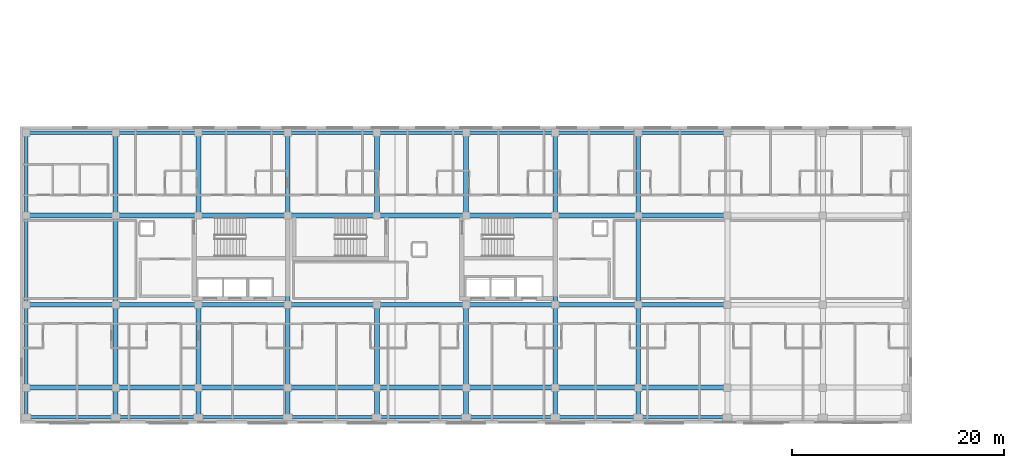
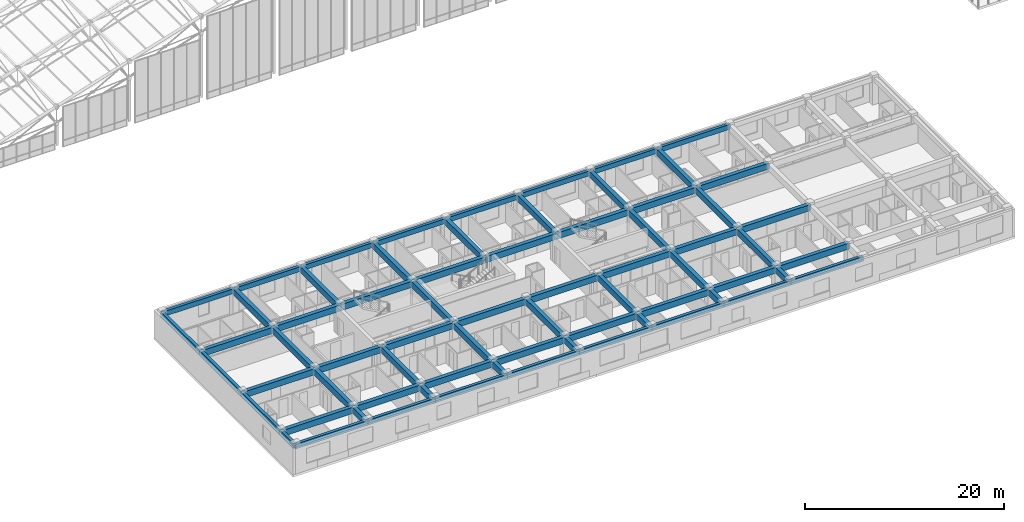
# One storey, part 15 of 144: 69 beams.
"""IFC4 building model written with IfcOpenShell, lengths in metres."""

from ifc_helpers import new_model, si_unit, direction, frame, origin, origin_2d, place, context, subcontext, project, spatial, rectangle, extrude, material, material_profile, profile_set, type_object, element, save


model = new_model("IFC4")

# Units and contexts
model_context = context("Model", 3, precision=1e-05, world=origin(), true_north=direction((0.0, 1.0)))
body_context = subcontext(model_context, "Body", "Model", "MODEL_VIEW")
ifc_project = project(units=[si_unit("LENGTHUNIT", "METRE"), si_unit("AREAUNIT", "SQUARE_METRE"), si_unit("VOLUMEUNIT", "CUBIC_METRE"), si_unit("PLANEANGLEUNIT", "RADIAN"), si_unit("MASSUNIT", "GRAM", prefix="KILO")], contexts=[model_context])

# Site, building, storey
site_placement = place(None, origin())
site = spatial("IfcSite", under=ifc_project, at=site_placement, CompositionType="ELEMENT")
building_placement = place(site_placement, origin())
building = spatial("IfcBuilding", under=site, at=building_placement, Name="Zayran Congress Hotel", CompositionType="ELEMENT")
storey_placement = place(building_placement, frame((0.0, 0.0, 19.199951171875)))
storey = spatial("IfcBuildingStorey", under=building, at=storey_placement, Name="L04", CompositionType="ELEMENT", Elevation=19.199951171875)

# Beams
ifc_material = material(Name="Concrete C40/50", Category="concrete")
ifc_material_profile_1 = material_profile(ifc_material, rectangle(XDim=0.449951171875, YDim=0.75, at=origin_2d()), Name="RC 450x750")
ifc_profile_set_1 = profile_set([ifc_material_profile_1], Name="Concrete C40/50")
beam_type_1 = type_object("IfcBeamType", Name="TP-BM-02", PredefinedType="BEAM", material=ifc_profile_set_1)
beam_1_placement = place(storey_placement, frame((9.0, 9.39990234375, 2.945068359375), z_axis=(1.0, 0.0, 0.0), x_axis=(0.0, 1.0, 0.0)))
element("IfcBeam", 1, at=beam_1_placement, inside=storey, type_object=beam_type_1, Name="BM-V5-L04-1962", PredefinedType="BEAM", context=body_context, shape_type="SweptSolid", body=[
    extrude(rectangle(XDim=0.449951171875, YDim=0.75, at=origin_2d()), origin(), (0.0, 0.0, 1.0), 8.39990234375),
])
beam_2_placement = place(storey_placement, frame((17.39990234375, 9.39990234375, 2.945068359375), z_axis=(1.0, 0.0, 0.0), x_axis=(0.0, 1.0, 0.0)))
element("IfcBeam", 2, at=beam_2_placement, inside=storey, type_object=beam_type_1, Name="BM-V5-L04-1963", PredefinedType="BEAM", context=body_context, shape_type="SweptSolid", body=[
    extrude(rectangle(XDim=0.449951171875, YDim=0.75, at=origin_2d()), origin(), (0.0, 0.0, 1.0), 7.800048828125),
])
beam_3_placement = place(storey_placement, frame((25.199951171875, 9.39990234375, 2.945068359375), z_axis=(1.0, 0.0, 0.0), x_axis=(0.0, 1.0, 0.0)))
element("IfcBeam", 3, at=beam_3_placement, inside=storey, type_object=beam_type_1, Name="BM-V5-L04-1964", PredefinedType="BEAM", context=body_context, shape_type="SweptSolid", body=[
    extrude(rectangle(XDim=0.449951171875, YDim=0.75, at=origin_2d()), origin(), (0.0, 0.0, 1.0), 8.400146484375),
])
for number, where, z_axis, x_axis, name in (
    (4, (33.60009765625, 9.39990234375, 2.945068359375), (1.0, 0.0, 0.0), (0.0, 1.0, 0.0), "BM-V5-L04-1965"),
    (5, (42.0, 9.39990234375, 2.945068359375), (1.0, 0.0, 0.0), (0.0, 1.0, 0.0), "BM-V5-L04-1966"),
):
    element("IfcBeam", number, at=place(storey_placement, frame(where, z_axis=z_axis, x_axis=x_axis)), inside=storey, type_object=beam_type_1, Name=name, PredefinedType="BEAM", context=body_context, shape_type="SweptSolid", body=[
        extrude(rectangle(XDim=0.449951171875, YDim=0.75, at=origin_2d()), origin(), (0.0, 0.0, 1.0), 8.39990234375),
    ])
beam_4_placement = place(storey_placement, frame((50.39990234375, 9.39990234375, 2.945068359375), z_axis=(1.0, 0.0, 0.0), x_axis=(0.0, 1.0, 0.0)))
element("IfcBeam", 6, at=beam_4_placement, inside=storey, type_object=beam_type_1, Name="BM-V5-L04-1967", PredefinedType="BEAM", context=body_context, shape_type="SweptSolid", body=[
    extrude(rectangle(XDim=0.449951171875, YDim=0.75, at=origin_2d()), origin(), (0.0, 0.0, 1.0), 8.400146484375),
])
beam_5_placement = place(storey_placement, frame((58.800048828125, 9.39990234375, 2.945068359375), z_axis=(1.0, 0.0, 0.0), x_axis=(0.0, 1.0, 0.0)))
element("IfcBeam", 7, at=beam_5_placement, inside=storey, type_object=beam_type_1, Name="BM-V5-L04-1968", PredefinedType="BEAM", context=body_context, shape_type="SweptSolid", body=[
    extrude(rectangle(XDim=0.449951171875, YDim=0.75, at=origin_2d()), origin(), (0.0, 0.0, 1.0), 7.800048828125),
])
for number, where, z_axis, x_axis, name in (
    (8, (66.60009765625, 9.39990234375, 2.945068359375), (1.0, 0.0, 0.0), (0.0, 1.0, 0.0), "BM-V5-L04-1969"),
    (9, (9.0, 17.199951171875, 2.945068359375), (1.0, 0.0, 0.0), (0.0, 1.0, 0.0), "BM-V5-L04-1972"),
):
    element("IfcBeam", number, at=place(storey_placement, frame(where, z_axis=z_axis, x_axis=x_axis)), inside=storey, type_object=beam_type_1, Name=name, PredefinedType="BEAM", context=body_context, shape_type="SweptSolid", body=[
        extrude(rectangle(XDim=0.449951171875, YDim=0.75, at=origin_2d()), origin(), (0.0, 0.0, 1.0), 8.39990234375),
    ])
beam_6_placement = place(storey_placement, frame((17.39990234375, 17.199951171875, 2.945068359375), z_axis=(1.0, 0.0, 0.0), x_axis=(0.0, 1.0, 0.0)))
element("IfcBeam", 10, at=beam_6_placement, inside=storey, type_object=beam_type_1, Name="BM-V5-L04-1973", PredefinedType="BEAM", context=body_context, shape_type="SweptSolid", body=[
    extrude(rectangle(XDim=0.449951171875, YDim=0.75, at=origin_2d()), origin(), (0.0, 0.0, 1.0), 7.800048828125),
])
beam_7_placement = place(storey_placement, frame((25.199951171875, 17.199951171875, 2.945068359375), z_axis=(1.0, 0.0, 0.0), x_axis=(0.0, 1.0, 0.0)))
element("IfcBeam", 11, at=beam_7_placement, inside=storey, type_object=beam_type_1, Name="BM-V5-L04-1974", PredefinedType="BEAM", context=body_context, shape_type="SweptSolid", body=[
    extrude(rectangle(XDim=0.449951171875, YDim=0.75, at=origin_2d()), origin(), (0.0, 0.0, 1.0), 8.400146484375),
])
for number, where, z_axis, x_axis, name in (
    (12, (33.60009765625, 17.199951171875, 2.945068359375), (1.0, 0.0, 0.0), (0.0, 1.0, 0.0), "BM-V5-L04-1975"),
    (13, (42.0, 17.199951171875, 2.945068359375), (1.0, 0.0, 0.0), (0.0, 1.0, 0.0), "BM-V5-L04-1976"),
):
    element("IfcBeam", number, at=place(storey_placement, frame(where, z_axis=z_axis, x_axis=x_axis)), inside=storey, type_object=beam_type_1, Name=name, PredefinedType="BEAM", context=body_context, shape_type="SweptSolid", body=[
        extrude(rectangle(XDim=0.449951171875, YDim=0.75, at=origin_2d()), origin(), (0.0, 0.0, 1.0), 8.39990234375),
    ])
beam_8_placement = place(storey_placement, frame((50.39990234375, 17.199951171875, 2.945068359375), z_axis=(1.0, 0.0, 0.0), x_axis=(0.0, 1.0, 0.0)))
element("IfcBeam", 14, at=beam_8_placement, inside=storey, type_object=beam_type_1, Name="BM-V5-L04-1977", PredefinedType="BEAM", context=body_context, shape_type="SweptSolid", body=[
    extrude(rectangle(XDim=0.449951171875, YDim=0.75, at=origin_2d()), origin(), (0.0, 0.0, 1.0), 8.400146484375),
])
beam_9_placement = place(storey_placement, frame((58.800048828125, 17.199951171875, 2.945068359375), z_axis=(1.0, 0.0, 0.0), x_axis=(0.0, 1.0, 0.0)))
element("IfcBeam", 15, at=beam_9_placement, inside=storey, type_object=beam_type_1, Name="BM-V5-L04-1978", PredefinedType="BEAM", context=body_context, shape_type="SweptSolid", body=[
    extrude(rectangle(XDim=0.449951171875, YDim=0.75, at=origin_2d()), origin(), (0.0, 0.0, 1.0), 7.800048828125),
])
for number, where, z_axis, x_axis, name in (
    (16, (66.60009765625, 17.199951171875, 2.945068359375), (1.0, 0.0, 0.0), (0.0, 1.0, 0.0), "BM-V5-L04-1979"),
    (17, (9.0, 25.60009765625, 2.945068359375), (1.0, 0.0, 0.0), (0.0, 1.0, 0.0), "BM-V5-L04-1982"),
):
    element("IfcBeam", number, at=place(storey_placement, frame(where, z_axis=z_axis, x_axis=x_axis)), inside=storey, type_object=beam_type_1, Name=name, PredefinedType="BEAM", context=body_context, shape_type="SweptSolid", body=[
        extrude(rectangle(XDim=0.449951171875, YDim=0.75, at=origin_2d()), origin(), (0.0, 0.0, 1.0), 8.39990234375),
    ])
beam_10_placement = place(storey_placement, frame((17.39990234375, 25.60009765625, 2.945068359375), z_axis=(1.0, 0.0, 0.0), x_axis=(0.0, 1.0, 0.0)))
element("IfcBeam", 18, at=beam_10_placement, inside=storey, type_object=beam_type_1, Name="BM-V5-L04-1983", PredefinedType="BEAM", context=body_context, shape_type="SweptSolid", body=[
    extrude(rectangle(XDim=0.449951171875, YDim=0.75, at=origin_2d()), origin(), (0.0, 0.0, 1.0), 7.800048828125),
])
beam_11_placement = place(storey_placement, frame((25.199951171875, 25.60009765625, 2.945068359375), z_axis=(1.0, 0.0, 0.0), x_axis=(0.0, 1.0, 0.0)))
element("IfcBeam", 19, at=beam_11_placement, inside=storey, type_object=beam_type_1, Name="BM-V5-L04-1984", PredefinedType="BEAM", context=body_context, shape_type="SweptSolid", body=[
    extrude(rectangle(XDim=0.449951171875, YDim=0.75, at=origin_2d()), origin(), (0.0, 0.0, 1.0), 8.400146484375),
])
for number, where, z_axis, x_axis, name in (
    (20, (33.60009765625, 25.60009765625, 2.945068359375), (1.0, 0.0, 0.0), (0.0, 1.0, 0.0), "BM-V5-L04-1985"),
    (21, (42.0, 25.60009765625, 2.945068359375), (1.0, 0.0, 0.0), (0.0, 1.0, 0.0), "BM-V5-L04-1986"),
):
    element("IfcBeam", number, at=place(storey_placement, frame(where, z_axis=z_axis, x_axis=x_axis)), inside=storey, type_object=beam_type_1, Name=name, PredefinedType="BEAM", context=body_context, shape_type="SweptSolid", body=[
        extrude(rectangle(XDim=0.449951171875, YDim=0.75, at=origin_2d()), origin(), (0.0, 0.0, 1.0), 8.39990234375),
    ])
beam_12_placement = place(storey_placement, frame((50.39990234375, 25.60009765625, 2.945068359375), z_axis=(1.0, 0.0, 0.0), x_axis=(0.0, 1.0, 0.0)))
element("IfcBeam", 22, at=beam_12_placement, inside=storey, type_object=beam_type_1, Name="BM-V5-L04-1987", PredefinedType="BEAM", context=body_context, shape_type="SweptSolid", body=[
    extrude(rectangle(XDim=0.449951171875, YDim=0.75, at=origin_2d()), origin(), (0.0, 0.0, 1.0), 8.400146484375),
])
beam_13_placement = place(storey_placement, frame((58.800048828125, 25.60009765625, 2.945068359375), z_axis=(1.0, 0.0, 0.0), x_axis=(0.0, 1.0, 0.0)))
element("IfcBeam", 23, at=beam_13_placement, inside=storey, type_object=beam_type_1, Name="BM-V5-L04-1988", PredefinedType="BEAM", context=body_context, shape_type="SweptSolid", body=[
    extrude(rectangle(XDim=0.449951171875, YDim=0.75, at=origin_2d()), origin(), (0.0, 0.0, 1.0), 7.800048828125),
])
beam_14_placement = place(storey_placement, frame((66.60009765625, 25.60009765625, 2.945068359375), z_axis=(1.0, 0.0, 0.0), x_axis=(0.0, 1.0, 0.0)))
element("IfcBeam", 24, at=beam_14_placement, inside=storey, type_object=beam_type_1, Name="BM-V5-L04-1989", PredefinedType="BEAM", context=body_context, shape_type="SweptSolid", body=[
    extrude(rectangle(XDim=0.449951171875, YDim=0.75, at=origin_2d()), origin(), (0.0, 0.0, 1.0), 8.39990234375),
])
beam_15_placement = place(storey_placement, frame((17.39990234375, 6.60009765625, 2.945068359375), z_axis=(0.0, 1.0, 0.0), x_axis=(-1.0, 0.0, 0.0)))
element("IfcBeam", 25, at=beam_15_placement, inside=storey, type_object=beam_type_1, Name="BM-V5-L04-2006", PredefinedType="BEAM", context=body_context, shape_type="SweptSolid", body=[
    extrude(rectangle(XDim=0.449951171875, YDim=0.75, at=origin_2d()), origin(), (0.0, 0.0, 1.0), 2.7998046875),
])
beam_16_placement = place(storey_placement, frame((17.39990234375, 9.39990234375, 2.945068359375), z_axis=(0.0, 1.0, 0.0), x_axis=(-1.0, 0.0, 0.0)))
element("IfcBeam", 26, at=beam_16_placement, inside=storey, type_object=beam_type_1, Name="BM-V5-L04-2007", PredefinedType="BEAM", context=body_context, shape_type="SweptSolid", body=[
    extrude(rectangle(XDim=0.449951171875, YDim=0.75, at=origin_2d()), origin(), (0.0, 0.0, 1.0), 7.800048828125),
])
beam_17_placement = place(storey_placement, frame((17.39990234375, 17.199951171875, 2.945068359375), z_axis=(0.0, 1.0, 0.0), x_axis=(-1.0, 0.0, 0.0)))
element("IfcBeam", 27, at=beam_17_placement, inside=storey, type_object=beam_type_1, Name="BM-V5-L04-2008", PredefinedType="BEAM", context=body_context, shape_type="SweptSolid", body=[
    extrude(rectangle(XDim=0.449951171875, YDim=0.75, at=origin_2d()), origin(), (0.0, 0.0, 1.0), 8.400146484375),
])
beam_18_placement = place(storey_placement, frame((17.39990234375, 25.60009765625, 2.945068359375), z_axis=(0.0, 1.0, 0.0), x_axis=(-1.0, 0.0, 0.0)))
element("IfcBeam", 28, at=beam_18_placement, inside=storey, type_object=beam_type_1, Name="BM-V5-L04-2009", PredefinedType="BEAM", context=body_context, shape_type="SweptSolid", body=[
    extrude(rectangle(XDim=0.449951171875, YDim=0.75, at=origin_2d()), origin(), (0.0, 0.0, 1.0), 7.7998046875),
])
beam_19_placement = place(storey_placement, frame((25.199951171875, 6.60009765625, 2.945068359375), z_axis=(0.0, 1.0, 0.0), x_axis=(-1.0, 0.0, 0.0)))
element("IfcBeam", 29, at=beam_19_placement, inside=storey, type_object=beam_type_1, Name="BM-V5-L04-2010", PredefinedType="BEAM", context=body_context, shape_type="SweptSolid", body=[
    extrude(rectangle(XDim=0.449951171875, YDim=0.75, at=origin_2d()), origin(), (0.0, 0.0, 1.0), 2.7998046875),
])
beam_20_placement = place(storey_placement, frame((25.199951171875, 9.39990234375, 2.945068359375), z_axis=(0.0, 1.0, 0.0), x_axis=(-1.0, 0.0, 0.0)))
element("IfcBeam", 30, at=beam_20_placement, inside=storey, type_object=beam_type_1, Name="BM-V5-L04-2011", PredefinedType="BEAM", context=body_context, shape_type="SweptSolid", body=[
    extrude(rectangle(XDim=0.449951171875, YDim=0.75, at=origin_2d()), origin(), (0.0, 0.0, 1.0), 7.800048828125),
])
beam_21_placement = place(storey_placement, frame((25.199951171875, 25.60009765625, 2.945068359375), z_axis=(0.0, 1.0, 0.0), x_axis=(-1.0, 0.0, 0.0)))
element("IfcBeam", 31, at=beam_21_placement, inside=storey, type_object=beam_type_1, Name="BM-V5-L04-2012", PredefinedType="BEAM", context=body_context, shape_type="SweptSolid", body=[
    extrude(rectangle(XDim=0.449951171875, YDim=0.75, at=origin_2d()), origin(), (0.0, 0.0, 1.0), 7.7998046875),
])
beam_22_placement = place(storey_placement, frame((33.60009765625, 6.60009765625, 2.945068359375), z_axis=(0.0, 1.0, 0.0), x_axis=(-1.0, 0.0, 0.0)))
element("IfcBeam", 32, at=beam_22_placement, inside=storey, type_object=beam_type_1, Name="BM-V5-L04-2013", PredefinedType="BEAM", context=body_context, shape_type="SweptSolid", body=[
    extrude(rectangle(XDim=0.449951171875, YDim=0.75, at=origin_2d()), origin(), (0.0, 0.0, 1.0), 2.7998046875),
])
beam_23_placement = place(storey_placement, frame((33.60009765625, 9.39990234375, 2.945068359375), z_axis=(0.0, 1.0, 0.0), x_axis=(-1.0, 0.0, 0.0)))
element("IfcBeam", 33, at=beam_23_placement, inside=storey, type_object=beam_type_1, Name="BM-V5-L04-2014", PredefinedType="BEAM", context=body_context, shape_type="SweptSolid", body=[
    extrude(rectangle(XDim=0.449951171875, YDim=0.75, at=origin_2d()), origin(), (0.0, 0.0, 1.0), 7.800048828125),
])
beam_24_placement = place(storey_placement, frame((33.60009765625, 17.199951171875, 2.945068359375), z_axis=(0.0, 1.0, 0.0), x_axis=(-1.0, 0.0, 0.0)))
element("IfcBeam", 34, at=beam_24_placement, inside=storey, type_object=beam_type_1, Name="BM-V5-L04-2015", PredefinedType="BEAM", context=body_context, shape_type="SweptSolid", body=[
    extrude(rectangle(XDim=0.449951171875, YDim=0.75, at=origin_2d()), origin(), (0.0, 0.0, 1.0), 8.400146484375),
])
beam_25_placement = place(storey_placement, frame((33.60009765625, 25.60009765625, 2.945068359375), z_axis=(0.0, 1.0, 0.0), x_axis=(-1.0, 0.0, 0.0)))
element("IfcBeam", 35, at=beam_25_placement, inside=storey, type_object=beam_type_1, Name="BM-V5-L04-2016", PredefinedType="BEAM", context=body_context, shape_type="SweptSolid", body=[
    extrude(rectangle(XDim=0.449951171875, YDim=0.75, at=origin_2d()), origin(), (0.0, 0.0, 1.0), 7.7998046875),
])
beam_26_placement = place(storey_placement, frame((42.0, 6.60009765625, 2.945068359375), z_axis=(0.0, 1.0, 0.0), x_axis=(-1.0, 0.0, 0.0)))
element("IfcBeam", 36, at=beam_26_placement, inside=storey, type_object=beam_type_1, Name="BM-V5-L04-2017", PredefinedType="BEAM", context=body_context, shape_type="SweptSolid", body=[
    extrude(rectangle(XDim=0.449951171875, YDim=0.75, at=origin_2d()), origin(), (0.0, 0.0, 1.0), 2.7998046875),
])
beam_27_placement = place(storey_placement, frame((42.0, 9.39990234375, 2.945068359375), z_axis=(0.0, 1.0, 0.0), x_axis=(-1.0, 0.0, 0.0)))
element("IfcBeam", 37, at=beam_27_placement, inside=storey, type_object=beam_type_1, Name="BM-V5-L04-2018", PredefinedType="BEAM", context=body_context, shape_type="SweptSolid", body=[
    extrude(rectangle(XDim=0.449951171875, YDim=0.75, at=origin_2d()), origin(), (0.0, 0.0, 1.0), 7.800048828125),
])
beam_28_placement = place(storey_placement, frame((42.0, 25.60009765625, 2.945068359375), z_axis=(0.0, 1.0, 0.0), x_axis=(-1.0, 0.0, 0.0)))
element("IfcBeam", 38, at=beam_28_placement, inside=storey, type_object=beam_type_1, Name="BM-V5-L04-2020", PredefinedType="BEAM", context=body_context, shape_type="SweptSolid", body=[
    extrude(rectangle(XDim=0.449951171875, YDim=0.75, at=origin_2d()), origin(), (0.0, 0.0, 1.0), 7.7998046875),
])
beam_29_placement = place(storey_placement, frame((50.39990234375, 6.60009765625, 2.945068359375), z_axis=(0.0, 1.0, 0.0), x_axis=(-1.0, 0.0, 0.0)))
element("IfcBeam", 39, at=beam_29_placement, inside=storey, type_object=beam_type_1, Name="BM-V5-L04-2021", PredefinedType="BEAM", context=body_context, shape_type="SweptSolid", body=[
    extrude(rectangle(XDim=0.449951171875, YDim=0.75, at=origin_2d()), origin(), (0.0, 0.0, 1.0), 2.7998046875),
])
beam_30_placement = place(storey_placement, frame((50.39990234375, 9.39990234375, 2.945068359375), z_axis=(0.0, 1.0, 0.0), x_axis=(-1.0, 0.0, 0.0)))
element("IfcBeam", 40, at=beam_30_placement, inside=storey, type_object=beam_type_1, Name="BM-V5-L04-2022", PredefinedType="BEAM", context=body_context, shape_type="SweptSolid", body=[
    extrude(rectangle(XDim=0.449951171875, YDim=0.75, at=origin_2d()), origin(), (0.0, 0.0, 1.0), 7.800048828125),
])
beam_31_placement = place(storey_placement, frame((50.39990234375, 25.60009765625, 2.945068359375), z_axis=(0.0, 1.0, 0.0), x_axis=(-1.0, 0.0, 0.0)))
element("IfcBeam", 41, at=beam_31_placement, inside=storey, type_object=beam_type_1, Name="BM-V5-L04-2023", PredefinedType="BEAM", context=body_context, shape_type="SweptSolid", body=[
    extrude(rectangle(XDim=0.449951171875, YDim=0.75, at=origin_2d()), origin(), (0.0, 0.0, 1.0), 7.7998046875),
])
beam_32_placement = place(storey_placement, frame((58.800048828125, 6.60009765625, 2.945068359375), z_axis=(0.0, 1.0, 0.0), x_axis=(-1.0, 0.0, 0.0)))
element("IfcBeam", 42, at=beam_32_placement, inside=storey, type_object=beam_type_1, Name="BM-V5-L04-2024", PredefinedType="BEAM", context=body_context, shape_type="SweptSolid", body=[
    extrude(rectangle(XDim=0.449951171875, YDim=0.75, at=origin_2d()), origin(), (0.0, 0.0, 1.0), 2.7998046875),
])
beam_33_placement = place(storey_placement, frame((58.800048828125, 9.39990234375, 2.945068359375), z_axis=(0.0, 1.0, 0.0), x_axis=(-1.0, 0.0, 0.0)))
element("IfcBeam", 43, at=beam_33_placement, inside=storey, type_object=beam_type_1, Name="BM-V5-L04-2025", PredefinedType="BEAM", context=body_context, shape_type="SweptSolid", body=[
    extrude(rectangle(XDim=0.449951171875, YDim=0.75, at=origin_2d()), origin(), (0.0, 0.0, 1.0), 7.800048828125),
])
beam_34_placement = place(storey_placement, frame((58.800048828125, 17.199951171875, 2.945068359375), z_axis=(0.0, 1.0, 0.0), x_axis=(-1.0, 0.0, 0.0)))
element("IfcBeam", 44, at=beam_34_placement, inside=storey, type_object=beam_type_1, Name="BM-V5-L04-2026", PredefinedType="BEAM", context=body_context, shape_type="SweptSolid", body=[
    extrude(rectangle(XDim=0.449951171875, YDim=0.75, at=origin_2d()), origin(), (0.0, 0.0, 1.0), 8.400146484375),
])
beam_35_placement = place(storey_placement, frame((58.800048828125, 25.60009765625, 2.945068359375), z_axis=(0.0, 1.0, 0.0), x_axis=(-1.0, 0.0, 0.0)))
element("IfcBeam", 45, at=beam_35_placement, inside=storey, type_object=beam_type_1, Name="BM-V5-L04-2027", PredefinedType="BEAM", context=body_context, shape_type="SweptSolid", body=[
    extrude(rectangle(XDim=0.449951171875, YDim=0.75, at=origin_2d()), origin(), (0.0, 0.0, 1.0), 7.7998046875),
])
beam_36_placement = place(storey_placement, frame((66.60009765625, 6.60009765625, 2.945068359375), z_axis=(0.0, 1.0, 0.0), x_axis=(-1.0, 0.0, 0.0)))
element("IfcBeam", 46, at=beam_36_placement, inside=storey, type_object=beam_type_1, Name="BM-V5-L04-2028", PredefinedType="BEAM", context=body_context, shape_type="SweptSolid", body=[
    extrude(rectangle(XDim=0.449951171875, YDim=0.75, at=origin_2d()), origin(), (0.0, 0.0, 1.0), 2.7998046875),
])
beam_37_placement = place(storey_placement, frame((66.60009765625, 9.39990234375, 2.945068359375), z_axis=(0.0, 1.0, 0.0), x_axis=(-1.0, 0.0, 0.0)))
element("IfcBeam", 47, at=beam_37_placement, inside=storey, type_object=beam_type_1, Name="BM-V5-L04-2029", PredefinedType="BEAM", context=body_context, shape_type="SweptSolid", body=[
    extrude(rectangle(XDim=0.449951171875, YDim=0.75, at=origin_2d()), origin(), (0.0, 0.0, 1.0), 7.800048828125),
])
beam_38_placement = place(storey_placement, frame((66.60009765625, 17.199951171875, 2.945068359375), z_axis=(0.0, 1.0, 0.0), x_axis=(-1.0, 0.0, 0.0)))
element("IfcBeam", 48, at=beam_38_placement, inside=storey, type_object=beam_type_1, Name="BM-V5-L04-2030", PredefinedType="BEAM", context=body_context, shape_type="SweptSolid", body=[
    extrude(rectangle(XDim=0.449951171875, YDim=0.75, at=origin_2d()), origin(), (0.0, 0.0, 1.0), 8.400146484375),
])
beam_39_placement = place(storey_placement, frame((66.60009765625, 25.60009765625, 2.945068359375), z_axis=(0.0, 1.0, 0.0), x_axis=(-1.0, 0.0, 0.0)))
element("IfcBeam", 49, at=beam_39_placement, inside=storey, type_object=beam_type_1, Name="BM-V5-L04-2031", PredefinedType="BEAM", context=body_context, shape_type="SweptSolid", body=[
    extrude(rectangle(XDim=0.449951171875, YDim=0.75, at=origin_2d()), origin(), (0.0, 0.0, 1.0), 7.7998046875),
])
ifc_material_profile_2 = material_profile(ifc_material, rectangle(XDim=0.35009765625, YDim=0.60009765625, at=origin_2d()), Name="RC 350x600")
ifc_profile_set_2 = profile_set([ifc_material_profile_2], Name="Concrete C40/50")
beam_type_2 = type_object("IfcBeamType", Name="TP-SP-01", PredefinedType="SPANDREL", material=ifc_profile_set_2)
beam_40_placement = place(storey_placement, frame((9.0, 6.60009765625, 3.02001953125), z_axis=(1.0, 0.0, 0.0), x_axis=(0.0, 1.0, 0.0)))
element("IfcBeam", 50, at=beam_40_placement, inside=storey, type_object=beam_type_2, Name="BM-V5-L04-1952", PredefinedType="SPANDREL", context=body_context, shape_type="SweptSolid", body=[
    extrude(rectangle(XDim=0.35009765625, YDim=0.60009765625, at=origin_2d()), origin(), (0.0, 0.0, 1.0), 8.39990234375),
])
beam_41_placement = place(storey_placement, frame((17.39990234375, 6.60009765625, 3.02001953125), z_axis=(1.0, 0.0, 0.0), x_axis=(0.0, 1.0, 0.0)))
element("IfcBeam", 51, at=beam_41_placement, inside=storey, type_object=beam_type_2, Name="BM-V5-L04-1953", PredefinedType="SPANDREL", context=body_context, shape_type="SweptSolid", body=[
    extrude(rectangle(XDim=0.35009765625, YDim=0.60009765625, at=origin_2d()), origin(), (0.0, 0.0, 1.0), 7.800048828125),
])
beam_42_placement = place(storey_placement, frame((25.199951171875, 6.60009765625, 3.02001953125), z_axis=(1.0, 0.0, 0.0), x_axis=(0.0, 1.0, 0.0)))
element("IfcBeam", 52, at=beam_42_placement, inside=storey, type_object=beam_type_2, Name="BM-V5-L04-1954", PredefinedType="SPANDREL", context=body_context, shape_type="SweptSolid", body=[
    extrude(rectangle(XDim=0.35009765625, YDim=0.60009765625, at=origin_2d()), origin(), (0.0, 0.0, 1.0), 8.400146484375),
])
for number, where, z_axis, x_axis, name in (
    (53, (33.60009765625, 6.60009765625, 3.02001953125), (1.0, 0.0, 0.0), (0.0, 1.0, 0.0), "BM-V5-L04-1955"),
    (54, (42.0, 6.60009765625, 3.02001953125), (1.0, 0.0, 0.0), (0.0, 1.0, 0.0), "BM-V5-L04-1956"),
):
    element("IfcBeam", number, at=place(storey_placement, frame(where, z_axis=z_axis, x_axis=x_axis)), inside=storey, type_object=beam_type_2, Name=name, PredefinedType="SPANDREL", context=body_context, shape_type="SweptSolid", body=[
        extrude(rectangle(XDim=0.35009765625, YDim=0.60009765625, at=origin_2d()), origin(), (0.0, 0.0, 1.0), 8.39990234375),
    ])
beam_43_placement = place(storey_placement, frame((50.39990234375, 6.60009765625, 3.02001953125), z_axis=(1.0, 0.0, 0.0), x_axis=(0.0, 1.0, 0.0)))
element("IfcBeam", 55, at=beam_43_placement, inside=storey, type_object=beam_type_2, Name="BM-V5-L04-1957", PredefinedType="SPANDREL", context=body_context, shape_type="SweptSolid", body=[
    extrude(rectangle(XDim=0.35009765625, YDim=0.60009765625, at=origin_2d()), origin(), (0.0, 0.0, 1.0), 8.400146484375),
])
beam_44_placement = place(storey_placement, frame((58.800048828125, 6.60009765625, 3.02001953125), z_axis=(1.0, 0.0, 0.0), x_axis=(0.0, 1.0, 0.0)))
element("IfcBeam", 56, at=beam_44_placement, inside=storey, type_object=beam_type_2, Name="BM-V5-L04-1958", PredefinedType="SPANDREL", context=body_context, shape_type="SweptSolid", body=[
    extrude(rectangle(XDim=0.35009765625, YDim=0.60009765625, at=origin_2d()), origin(), (0.0, 0.0, 1.0), 7.800048828125),
])
for number, where, z_axis, x_axis, name in (
    (57, (66.60009765625, 6.60009765625, 3.02001953125), (1.0, 0.0, 0.0), (0.0, 1.0, 0.0), "BM-V5-L04-1959"),
    (58, (9.0, 33.39990234375, 3.02001953125), (1.0, 0.0, 0.0), (0.0, 1.0, 0.0), "BM-V5-L04-1992"),
):
    element("IfcBeam", number, at=place(storey_placement, frame(where, z_axis=z_axis, x_axis=x_axis)), inside=storey, type_object=beam_type_2, Name=name, PredefinedType="SPANDREL", context=body_context, shape_type="SweptSolid", body=[
        extrude(rectangle(XDim=0.35009765625, YDim=0.60009765625, at=origin_2d()), origin(), (0.0, 0.0, 1.0), 8.39990234375),
    ])
beam_45_placement = place(storey_placement, frame((17.39990234375, 33.39990234375, 3.02001953125), z_axis=(1.0, 0.0, 0.0), x_axis=(0.0, 1.0, 0.0)))
element("IfcBeam", 59, at=beam_45_placement, inside=storey, type_object=beam_type_2, Name="BM-V5-L04-1993", PredefinedType="SPANDREL", context=body_context, shape_type="SweptSolid", body=[
    extrude(rectangle(XDim=0.35009765625, YDim=0.60009765625, at=origin_2d()), origin(), (0.0, 0.0, 1.0), 7.800048828125),
])
beam_46_placement = place(storey_placement, frame((25.199951171875, 33.39990234375, 3.02001953125), z_axis=(1.0, 0.0, 0.0), x_axis=(0.0, 1.0, 0.0)))
element("IfcBeam", 60, at=beam_46_placement, inside=storey, type_object=beam_type_2, Name="BM-V5-L04-1994", PredefinedType="SPANDREL", context=body_context, shape_type="SweptSolid", body=[
    extrude(rectangle(XDim=0.35009765625, YDim=0.60009765625, at=origin_2d()), origin(), (0.0, 0.0, 1.0), 8.400146484375),
])
for number, where, z_axis, x_axis, name in (
    (61, (33.60009765625, 33.39990234375, 3.02001953125), (1.0, 0.0, 0.0), (0.0, 1.0, 0.0), "BM-V5-L04-1995"),
    (62, (42.0, 33.39990234375, 3.02001953125), (1.0, 0.0, 0.0), (0.0, 1.0, 0.0), "BM-V5-L04-1996"),
):
    element("IfcBeam", number, at=place(storey_placement, frame(where, z_axis=z_axis, x_axis=x_axis)), inside=storey, type_object=beam_type_2, Name=name, PredefinedType="SPANDREL", context=body_context, shape_type="SweptSolid", body=[
        extrude(rectangle(XDim=0.35009765625, YDim=0.60009765625, at=origin_2d()), origin(), (0.0, 0.0, 1.0), 8.39990234375),
    ])
beam_47_placement = place(storey_placement, frame((50.39990234375, 33.39990234375, 3.02001953125), z_axis=(1.0, 0.0, 0.0), x_axis=(0.0, 1.0, 0.0)))
element("IfcBeam", 63, at=beam_47_placement, inside=storey, type_object=beam_type_2, Name="BM-V5-L04-1997", PredefinedType="SPANDREL", context=body_context, shape_type="SweptSolid", body=[
    extrude(rectangle(XDim=0.35009765625, YDim=0.60009765625, at=origin_2d()), origin(), (0.0, 0.0, 1.0), 8.400146484375),
])
beam_48_placement = place(storey_placement, frame((58.800048828125, 33.39990234375, 3.02001953125), z_axis=(1.0, 0.0, 0.0), x_axis=(0.0, 1.0, 0.0)))
element("IfcBeam", 64, at=beam_48_placement, inside=storey, type_object=beam_type_2, Name="BM-V5-L04-1998", PredefinedType="SPANDREL", context=body_context, shape_type="SweptSolid", body=[
    extrude(rectangle(XDim=0.35009765625, YDim=0.60009765625, at=origin_2d()), origin(), (0.0, 0.0, 1.0), 7.800048828125),
])
beam_49_placement = place(storey_placement, frame((66.60009765625, 33.39990234375, 3.02001953125), z_axis=(1.0, 0.0, 0.0), x_axis=(0.0, 1.0, 0.0)))
element("IfcBeam", 65, at=beam_49_placement, inside=storey, type_object=beam_type_2, Name="BM-V5-L04-1999", PredefinedType="SPANDREL", context=body_context, shape_type="SweptSolid", body=[
    extrude(rectangle(XDim=0.35009765625, YDim=0.60009765625, at=origin_2d()), origin(), (0.0, 0.0, 1.0), 8.39990234375),
])
beam_50_placement = place(storey_placement, frame((9.0, 6.60009765625, 3.02001953125), z_axis=(0.0, 1.0, 0.0), x_axis=(-1.0, 0.0, 0.0)))
element("IfcBeam", 66, at=beam_50_placement, inside=storey, type_object=beam_type_2, Name="BM-V5-L04-2002", PredefinedType="SPANDREL", context=body_context, shape_type="SweptSolid", body=[
    extrude(rectangle(XDim=0.35009765625, YDim=0.60009765625, at=origin_2d()), origin(), (0.0, 0.0, 1.0), 2.7998046875),
])
beam_51_placement = place(storey_placement, frame((9.0, 9.39990234375, 3.02001953125), z_axis=(0.0, 1.0, 0.0), x_axis=(-1.0, 0.0, 0.0)))
element("IfcBeam", 67, at=beam_51_placement, inside=storey, type_object=beam_type_2, Name="BM-V5-L04-2003", PredefinedType="SPANDREL", context=body_context, shape_type="SweptSolid", body=[
    extrude(rectangle(XDim=0.35009765625, YDim=0.60009765625, at=origin_2d()), origin(), (0.0, 0.0, 1.0), 7.800048828125),
])
beam_52_placement = place(storey_placement, frame((9.0, 17.199951171875, 3.02001953125), z_axis=(0.0, 1.0, 0.0), x_axis=(-1.0, 0.0, 0.0)))
element("IfcBeam", 68, at=beam_52_placement, inside=storey, type_object=beam_type_2, Name="BM-V5-L04-2004", PredefinedType="SPANDREL", context=body_context, shape_type="SweptSolid", body=[
    extrude(rectangle(XDim=0.35009765625, YDim=0.60009765625, at=origin_2d()), origin(), (0.0, 0.0, 1.0), 8.400146484375),
])
beam_53_placement = place(storey_placement, frame((9.0, 25.60009765625, 3.02001953125), z_axis=(0.0, 1.0, 0.0), x_axis=(-1.0, 0.0, 0.0)))
element("IfcBeam", 69, at=beam_53_placement, inside=storey, type_object=beam_type_2, Name="BM-V5-L04-2005", PredefinedType="SPANDREL", context=body_context, shape_type="SweptSolid", body=[
    extrude(rectangle(XDim=0.35009765625, YDim=0.60009765625, at=origin_2d()), origin(), (0.0, 0.0, 1.0), 7.7998046875),
])

save(model, "model.ifc")
